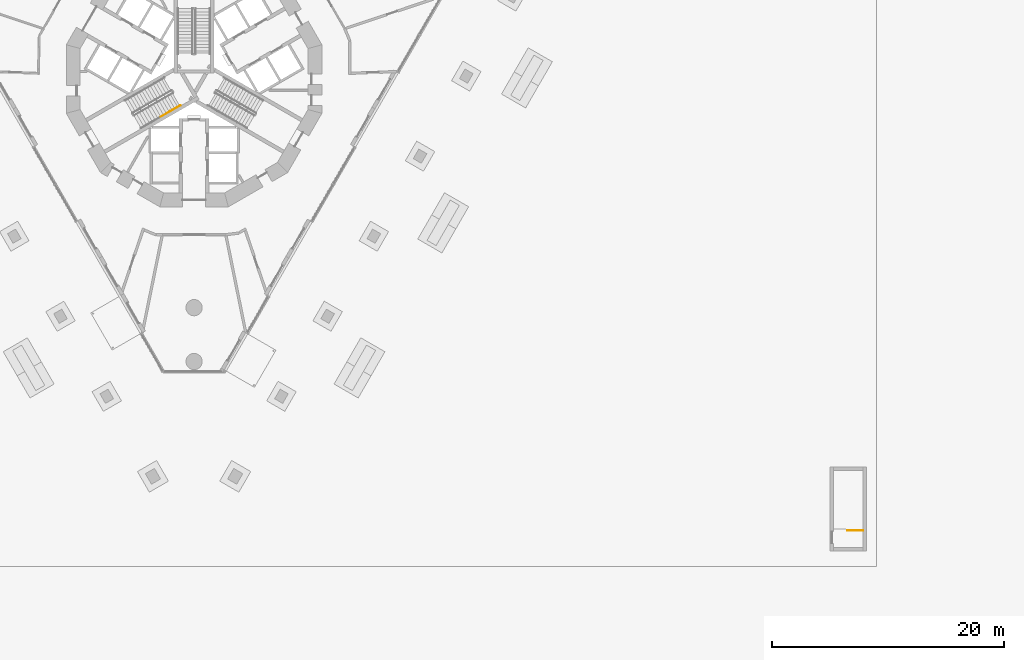
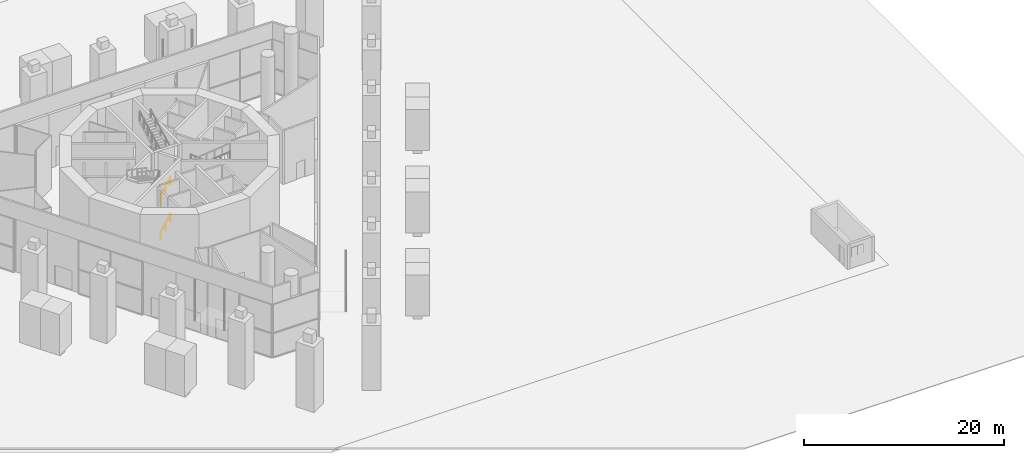
# One storey, part 20 of 26: 3 railings.
"""IFC4 building model written with IfcOpenShell, lengths in metres."""

from ifc_helpers import new_model, si_unit, direction, frame, origin, origin_2d, place, context, subcontext, project, spatial, circle, extrude, material, type_object, element, save


model = new_model("IFC4")

# Units and contexts
model_context = context("Model", 3, precision=1e-05, world=origin(), true_north=direction((0.0, 1.0)))
body_context = subcontext(model_context, "Body", "Model", "MODEL_VIEW")
ifc_project = project(units=[si_unit("LENGTHUNIT", "METRE"), si_unit("AREAUNIT", "SQUARE_METRE"), si_unit("VOLUMEUNIT", "CUBIC_METRE"), si_unit("PLANEANGLEUNIT", "RADIAN"), si_unit("MASSUNIT", "GRAM", prefix="KILO")], contexts=[model_context])

# Site, building, storey
site_placement = place(None, origin())
site = spatial("IfcSite", under=ifc_project, at=site_placement, CompositionType="ELEMENT")
building_placement = place(site_placement, origin())
building = spatial("IfcBuilding", under=site, at=building_placement, Name="Trine Commons Tower", CompositionType="ELEMENT")
storey_placement = place(building_placement, origin())
storey = spatial("IfcBuildingStorey", under=building, at=storey_placement, Name="L00", CompositionType="ELEMENT", Elevation=0.0)

# Railings
ifc_material_1 = material(Name="Stainless steel handrail", Category="steel")
railing_type_1 = type_object("IfcRailingType", Name="Stair handrail, steel 900", PredefinedType="HANDRAIL", material=ifc_material_1)
for number, where, name in (
    (1, (77.127685546875, 59.25390625, 1.199951171875), "L00 ST2A stair handrail 2"),
    (2, (77.127685546875, 59.25390625, 5.699951171875), "L00 ST2A stair handrail 6"),
):
    element("IfcRailing", number, at=place(storey_placement, frame(where)), inside=storey, type_object=railing_type_1, Name=name, PredefinedType="HANDRAIL", context=body_context, shape_type="SweptSolid", body=[
        extrude(circle(Radius=0.02099609375, at=origin_2d()), frame((0.0, 0.0, 0.87890625), z_axis=(0.763352030933, 0.440750151347, 0.472263677365), x_axis=(-0.500024377727, 0.866011328839, 0.0)), (0.0, 0.0, 1.0), 2.223388671875),
        extrude(circle(Radius=0.01513671875, at=origin_2d()), origin(), (0.0, 0.0, 1.0), 0.85791015625),
        extrude(circle(Radius=0.01513671875, at=origin_2d()), frame((0.8486328125, 0.489990234375, 0.52490234375)), (0.0, 0.0, 1.0), 0.85791015625),
        extrude(circle(Radius=0.01513671875, at=origin_2d()), frame((1.697265625, 0.97998046875, 1.050048828125)), (0.0, 0.0, 1.0), 0.85791015625),
    ])
ifc_material_2 = material(Name="Structural steel ASTM A500 Gr C", Category="steel")
railing_type_2 = type_object("IfcRailingType", Name="Steel guard 1120 mm, ASTM A500 Gr C", PredefinedType="GUARDRAIL", material=ifc_material_2)
railing_placement = place(storey_placement, frame((137.64990234375, 23.60009765625, 0.0)))
element("IfcRailing", 3, at=railing_placement, inside=storey, type_object=railing_type_2, Name="L00 STB2 top well guard 1", PredefinedType="GUARDRAIL", context=body_context, shape_type="SweptSolid", body=[
    extrude(circle(Radius=0.02392578125, at=origin_2d()), frame((0.0, 0.0, 1.09619140625), z_axis=(-1.0, 0.0, 0.0), x_axis=(0.0, -1.0, 0.0)), (0.0, 0.0, 1.0), 1.349853515625),
    extrude(circle(Radius=0.02099609375, at=origin_2d()), origin(), (0.0, 0.0, 1.0), 1.072021484375),
    extrude(circle(Radius=0.02099609375, at=origin_2d()), frame((-0.6748046875, 0.0, 0.0)), (0.0, 0.0, 1.0), 1.072021484375),
    extrude(circle(Radius=0.02099609375, at=origin_2d()), frame((-1.349853515625, 0.0, 0.0)), (0.0, 0.0, 1.0), 1.072021484375),
])

save(model, "model.ifc")
